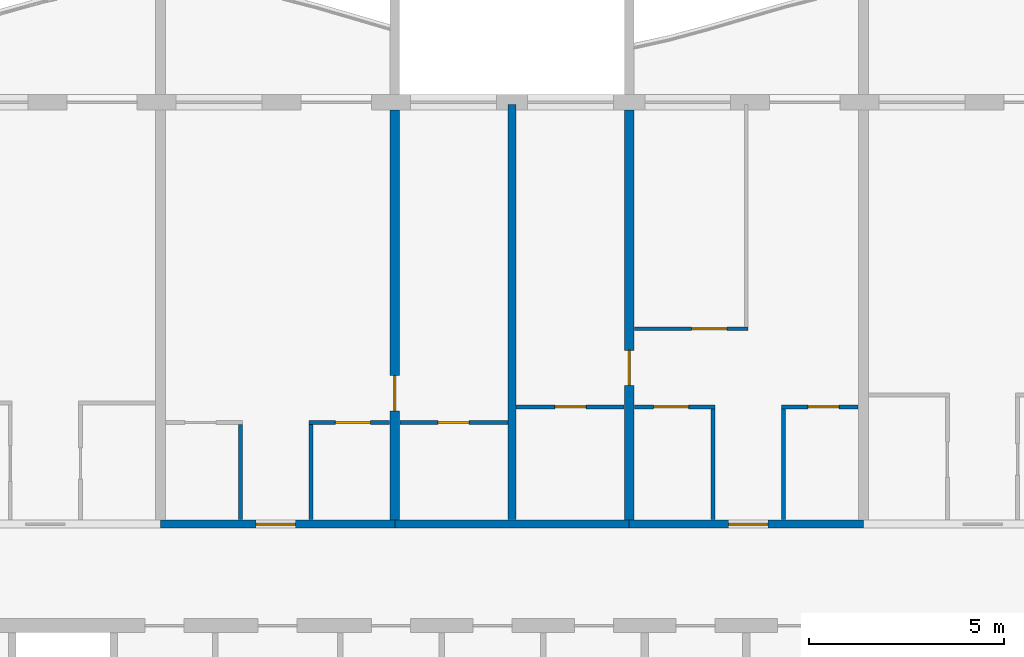
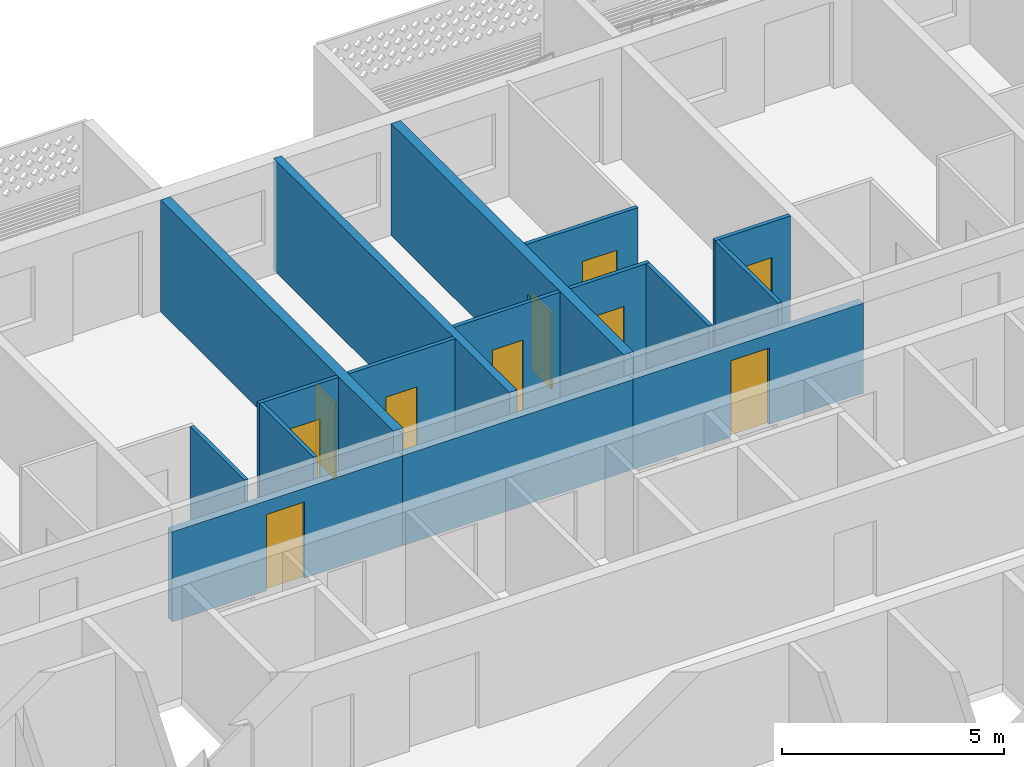
# One storey, part 9 of 29: 16 walls, 10 doors, 10 openings.
"""IFC4 building model written with IfcOpenShell, lengths in metres."""

import ifcopenshell
import ifcopenshell.guid

model = None  # the IFC model being written
_history = None  # IfcOwnerHistory: only IFC2X3 demands one
_inside = {}  # id of a spatial element -> (the spatial element, [elements in it])
_under = {}  # id of a project, library or spatial element -> (it, [spatial elements below it])
_declared = {}  # id of a project -> (the project, [libraries it declares])
_typed = {}  # id of a type object -> (the type object, [elements of that type])
_made_of = {}  # id of a material, layer set ... -> (it, [elements and type objects made of it])


def new_model(schema):
    """Start an empty IFC model of exactly this schema.

    Asked for "IFC4X3", IfcOpenShell would pick the latest addendum, in which some entities
    have other attributes; the version numbers below select the first issue.
    IFC2X3 requires an IfcOwnerHistory on every rooted entity: one is made here for all.
    """
    global model, _history
    if schema == "IFC4X3":
        model = ifcopenshell.file(schema_version=(4, 3, 0, 0))
    else:
        model = ifcopenshell.file(schema=schema)
    _inside.clear()
    _under.clear()
    _declared.clear()
    _typed.clear()
    _made_of.clear()
    _history = None
    if model.schema == "IFC2X3":
        org = make("IfcOrganization", Name="unknown")
        user = make(
            "IfcPersonAndOrganization",
            ThePerson=make("IfcPerson", FamilyName="unknown"),
            TheOrganization=org,
        )
        app = make(
            "IfcApplication",
            ApplicationDeveloper=org,
            Version="unknown",
            ApplicationFullName="unknown",
            ApplicationIdentifier="unknown",
        )
        _history = make(
            "IfcOwnerHistory",
            OwningUser=user,
            OwningApplication=app,
            ChangeAction="ADDED",
            CreationDate=0,
        )
    return model


def make(cls, **values):
    """One entity of the class cls with the attributes given. An attribute that is None is left unset."""
    return model.create_entity(
        cls, **{name: value for name, value in values.items() if value is not None}
    )


def rooted(cls, **values):
    """An entity with a GlobalId (a new one), such as an element, a storey or a relation."""
    return make(cls, GlobalId=ifcopenshell.guid.new(), OwnerHistory=_history, **values)


def si_unit(unit_type, name, prefix=None):
    """IfcSIUnit, for example si_unit("LENGTHUNIT", "METRE", prefix="MILLI")."""
    return make("IfcSIUnit", UnitType=unit_type, Prefix=prefix, Name=name)


def assignment(units):
    """IfcUnitAssignment: the units of a project."""
    return None if units is None else make("IfcUnitAssignment", Units=units)


def point(xyz):
    """IfcCartesianPoint."""
    return None if xyz is None else make("IfcCartesianPoint", Coordinates=xyz)


def direction(xyz):
    """IfcDirection."""
    return None if xyz is None else make("IfcDirection", DirectionRatios=xyz)


def frame(location, z_axis=None, x_axis=None):
    """IfcAxis2Placement3D, a coordinate frame: its origin and axes. An axis left out is left unset."""
    return make(
        "IfcAxis2Placement3D",
        Location=point(location),
        Axis=direction(z_axis),
        RefDirection=direction(x_axis),
    )


def frame_2d(location, x_axis=None):
    """IfcAxis2Placement2D, a coordinate frame in the plane: its origin and x axis."""
    return make(
        "IfcAxis2Placement2D", Location=point(location), RefDirection=direction(x_axis)
    )


def origin():
    """The frame at (0, 0, 0) with its axes left unset."""
    return frame((0.0, 0.0, 0.0))


def place(relative_to, where):
    """IfcLocalPlacement: puts the frame where relative to a parent placement (None: the world)."""
    return make(
        "IfcLocalPlacement", PlacementRelTo=relative_to, RelativePlacement=where
    )


def context(
    kind, dimensions, precision=None, world=None, true_north=None, identifier=None
):
    """IfcGeometricRepresentationContext, for example the 3D "Model" context."""
    return make(
        "IfcGeometricRepresentationContext",
        ContextIdentifier=identifier,
        ContextType=kind,
        CoordinateSpaceDimension=dimensions,
        Precision=precision,
        WorldCoordinateSystem=world,
        TrueNorth=true_north,
    )


def subcontext(parent, identifier, kind, view, scale=None):
    """IfcGeometricRepresentationSubContext, for example "Body" below "Model"."""
    return make(
        "IfcGeometricRepresentationSubContext",
        ContextIdentifier=identifier,
        ContextType=kind,
        ParentContext=parent,
        TargetScale=scale,
        TargetView=view,
    )


def project(units=None, contexts=None):
    """IfcProject with its units and contexts."""
    return rooted(
        "IfcProject",
        Name="project",
        RepresentationContexts=contexts,
        UnitsInContext=assignment(units),
    )


def spatial(cls, under=None, at=None, **own):
    """A site, building, storey or space (cls), placed at a placement, below another one or the project."""
    s = rooted(cls, ObjectPlacement=at, **own)
    if under is not None:
        _under.setdefault(under.id(), (under, []))[1].append(s)
    return s


def profile(cls, at=None, kind="AREA", **sizes):
    """A parametric profile (cls). Its sizes go by their IFC names, for example OverallWidth=200.0."""
    return make(cls, ProfileType=kind, Position=at, **sizes)


def rectangle(**sizes):
    """IfcRectangleProfileDef."""
    return profile("IfcRectangleProfileDef", **sizes)


def extrude(swept, where, along, depth):
    """IfcExtrudedAreaSolid: the profile swept, set in the frame where, extruded along a direction by depth."""
    return make(
        "IfcExtrudedAreaSolid",
        SweptArea=swept,
        Position=where,
        ExtrudedDirection=direction(along),
        Depth=depth,
    )


def shape(context_of_items, identifier, shape_type, items):
    """IfcShapeRepresentation: the items that make up one representation, for example the "Body"."""
    return make(
        "IfcShapeRepresentation",
        ContextOfItems=context_of_items,
        RepresentationIdentifier=identifier,
        RepresentationType=shape_type,
        Items=items,
    )


def material(Name=None, Category=None):
    """IfcMaterial."""
    return make("IfcMaterial", Name=Name, Category=Category)


def layer(
    of_material, thickness, ventilated=None, Name=None, Category=None, Priority=None
):
    """IfcMaterialLayer: one layer of a wall or slab, of a material (None: an air gap)."""
    return make(
        "IfcMaterialLayer",
        Material=of_material,
        LayerThickness=thickness,
        IsVentilated=ventilated,
        Name=Name,
        Category=Category,
        Priority=Priority,
    )


def layer_set(layers, Name=None):
    """IfcMaterialLayerSet."""
    return make("IfcMaterialLayerSet", MaterialLayers=layers, LayerSetName=Name)


def made_of(thing, what):
    """Note that an element or type object is made of a material, layer set ...; save() writes the relation."""
    if what is not None:
        _made_of.setdefault(what.id(), (what, []))[1].append(thing)
    return thing


def type_object(cls, material=None, **own):
    """A type object (cls), such as IfcWallType, which elements share."""
    return made_of(rooted(cls, **own), material)


def element(
    cls,
    number,
    at=None,
    inside=None,
    cuts=None,
    type_object=None,
    material=None,
    context=None,
    identifier="Body",
    shape_type=None,
    held_by="IfcProductDefinitionShape",
    body=None,
    shapes=None,
    **own,
):
    """One element of the class cls, such as IfcWall. Its Tag is "e" and its number.

    at: its placement. inside: the storey or other place that contains it. cuts: it is an
    opening in that element (IfcRelVoidsElement). A single representation is given by context,
    identifier, shape_type and body (its items); several are given by shapes. held_by: the class
    of the entity that holds the representations. save() writes the other relations.
    """
    e = rooted(cls, Tag="e%d" % number, ObjectPlacement=at, **own)
    if body is not None:
        shapes = [shape(context, identifier, shape_type, body)]
    if shapes is not None:
        e.Representation = make(held_by, Representations=shapes)
    if inside is not None:
        _inside.setdefault(inside.id(), (inside, []))[1].append(e)
    if cuts is not None:
        rooted(
            "IfcRelVoidsElement", RelatingBuildingElement=cuts, RelatedOpeningElement=e
        )
    if type_object is not None:
        _typed.setdefault(type_object.id(), (type_object, []))[1].append(e)
    return made_of(e, material)


def fill(opening, filler):
    """IfcRelFillsElement: the door or window that sits in an opening."""
    return rooted(
        "IfcRelFillsElement",
        RelatingOpeningElement=opening,
        RelatedBuildingElement=filler,
    )


def aggregate(whole, parts):
    """IfcRelAggregates: a whole, such as a stair, and the parts it consists of."""
    return rooted("IfcRelAggregates", RelatingObject=whole, RelatedObjects=parts)


def save(model, path):
    """Write the relations noted so far, then the file.

    IfcRelAggregates (storeys below a building ...), IfcRelContainedInSpatialStructure (elements
    in a storey), IfcRelDefinesByType, IfcRelAssociatesMaterial and IfcRelDeclares: one each for
    every whole, place, type object, material and project.
    """
    for whole, parts in _under.values():
        aggregate(whole, parts)
    for where, things in _inside.values():
        rooted(
            "IfcRelContainedInSpatialStructure",
            RelatedElements=things,
            RelatingStructure=where,
        )
    for kind, things in _typed.values():
        rooted("IfcRelDefinesByType", RelatedObjects=things, RelatingType=kind)
    for what, things in _made_of.values():
        rooted("IfcRelAssociatesMaterial", RelatedObjects=things, RelatingMaterial=what)
    for by, libraries in _declared.values():
        rooted("IfcRelDeclares", RelatingContext=by, RelatedDefinitions=libraries)
    model.write(path)


model = new_model("IFC4")

# Units and contexts
model_context = context("Model", 3, precision=1e-05, world=origin(), true_north=direction((0.0, 1.0)))
body_context = subcontext(model_context, "Body", "Model", "MODEL_VIEW")
ifc_project = project(units=[si_unit("LENGTHUNIT", "METRE"), si_unit("AREAUNIT", "SQUARE_METRE"), si_unit("VOLUMEUNIT", "CUBIC_METRE"), si_unit("PLANEANGLEUNIT", "RADIAN"), si_unit("MASSUNIT", "GRAM", prefix="KILO")], contexts=[model_context])

# Site, building, storey
site_placement = place(None, origin())
site = spatial("IfcSite", under=ifc_project, at=site_placement, CompositionType="ELEMENT")
building_placement = place(site_placement, origin())
building = spatial("IfcBuilding", under=site, at=building_placement, Name="Poui Terraces", CompositionType="ELEMENT")
storey_placement = place(building_placement, frame((0.0, 0.0, 234.60009765625)))
storey = spatial("IfcBuildingStorey", under=building, at=storey_placement, Name="L65", CompositionType="ELEMENT", Elevation=234.60009765625)

# Wall, opening, door
ifc_material_1 = material(Name="Concrete 50 MPa", Category="concrete")
ifc_layer_1 = layer(ifc_material_1, 0.199951171875)
ifc_layer_set_1 = layer_set([ifc_layer_1], Name="Concrete 50 MPa")
wall_type_1 = type_object("IfcWallType", Name="CORRIDOR WALL 200 50MPa", PredefinedType="SHEAR", material=ifc_layer_set_1)
wall_1_placement = place(storey_placement, frame((48.0, 30.39990234375, 0.0), z_axis=(0.0, 0.0, 1.0), x_axis=(1.0, 0.0, 0.0)))
wall_1 = element("IfcWall", 1, at=wall_1_placement, inside=storey, type_object=wall_type_1, Name="CORRIDOR WALL LINE E BAY 6", PredefinedType="SHEAR", context=body_context, shape_type="SweptSolid", body=[
    extrude(rectangle(XDim=6.0, YDim=0.199951171875, at=frame_2d((3.0, 0.0))), origin(), (0.0, 0.0, 1.0), 2.47998046875),
])
opening_1_placement = place(wall_1_placement, frame((2.449951171875, 0.0, 0.0)))
opening_1 = element("IfcOpeningElement", 2, at=opening_1_placement, cuts=wall_1, Name="Opening FD30S", PredefinedType="OPENING", context=body_context, shape_type="SweptSolid", body=[
    extrude(rectangle(XDim=1.0, YDim=2.10009765625, at=frame_2d((0.5, 1.050048828125))), frame((0.0, 0.10986328125, 0.0), z_axis=(0.0, -1.0, 0.0), x_axis=(1.0, 0.0, 0.0)), (0.0, 0.0, 1.0), 0.219970703125),
])
ifc_material_2 = material(Name="Steel fire door", Category="steel")
door_type_1 = type_object("IfcDoorType", Name="FLAT ENTRANCE DOOR 1000 X 2100", OperationType="NOTDEFINED", PredefinedType="DOOR", material=ifc_material_2)
door_1_placement = place(opening_1_placement, origin())
door_1 = element("IfcDoor", 3, at=door_1_placement, inside=storey, type_object=door_type_1, Name="FLAT ENTRANCE DOOR 046", OperationType="SINGLE_SWING_LEFT", OverallHeight=2.10009765625, OverallWidth=1.0, PredefinedType="DOOR", context=body_context, shape_type="SweptSolid", body=[
    extrude(rectangle(XDim=1.0, YDim=2.10009765625, at=frame_2d((0.5, 1.050048828125))), frame((0.0, 0.02490234375, 0.0), z_axis=(0.0, -1.0, 0.0), x_axis=(1.0, 0.0, 0.0)), (0.0, 0.0, 1.0), 0.050048828125),
])
fill(opening_1, door_1)

# Wall
wall_2_placement = place(storey_placement, frame((54.0, 30.39990234375, 0.0), z_axis=(0.0, 0.0, 1.0), x_axis=(1.0, 0.0, 0.0)))
element("IfcWall", 4, at=wall_2_placement, inside=storey, type_object=wall_type_1, Name="CORRIDOR WALL LINE E BAY 7", PredefinedType="SHEAR", context=body_context, shape_type="SweptSolid", body=[
    extrude(rectangle(XDim=6.0, YDim=0.199951171875, at=frame_2d((3.0, 0.0))), origin(), (0.0, 0.0, 1.0), 2.47998046875),
])

# Wall, opening, door
wall_3_placement = place(storey_placement, frame((60.0, 30.39990234375, 0.0), z_axis=(0.0, 0.0, 1.0), x_axis=(1.0, 0.0, 0.0)))
wall_3 = element("IfcWall", 5, at=wall_3_placement, inside=storey, type_object=wall_type_1, Name="CORRIDOR WALL LINE E BAY 8", PredefinedType="SHEAR", context=body_context, shape_type="SweptSolid", body=[
    extrude(rectangle(XDim=6.0, YDim=0.199951171875, at=frame_2d((3.0, 0.0))), origin(), (0.0, 0.0, 1.0), 2.47998046875),
])
opening_2_placement = place(wall_3_placement, frame((2.550048828125, 0.0, 0.0)))
opening_2 = element("IfcOpeningElement", 6, at=opening_2_placement, cuts=wall_3, Name="Opening FD30S", PredefinedType="OPENING", context=body_context, shape_type="SweptSolid", body=[
    extrude(rectangle(XDim=1.0, YDim=2.10009765625, at=frame_2d((0.5, 1.050048828125))), frame((0.0, 0.10986328125, 0.0), z_axis=(0.0, -1.0, 0.0), x_axis=(1.0, 0.0, 0.0)), (0.0, 0.0, 1.0), 0.219970703125),
])
door_2_placement = place(opening_2_placement, origin())
door_2 = element("IfcDoor", 7, at=door_2_placement, inside=storey, type_object=door_type_1, Name="FLAT ENTRANCE DOOR 053", OperationType="SINGLE_SWING_RIGHT", OverallHeight=2.10009765625, OverallWidth=1.0, PredefinedType="DOOR", context=body_context, shape_type="SweptSolid", body=[
    extrude(rectangle(XDim=1.0, YDim=2.10009765625, at=frame_2d((0.5, 1.050048828125))), frame((0.0, 0.02490234375, 0.0), z_axis=(0.0, -1.0, 0.0), x_axis=(1.0, 0.0, 0.0)), (0.0, 0.0, 1.0), 0.050048828125),
])
fill(opening_2, door_2)

ifc_layer_2 = layer(ifc_material_1, 0.25)
ifc_layer_set_2 = layer_set([ifc_layer_2], Name="Concrete 50 MPa")
wall_type_2 = type_object("IfcWallType", Name="CROSS WALL 250 50MPa", PredefinedType="SHEAR", material=ifc_layer_set_2)
wall_4_placement = place(storey_placement, frame((54.0, 30.5, 0.0), z_axis=(0.0, 0.0, 1.0), x_axis=(0.0, 1.0, 0.0)))
wall_4 = element("IfcWall", 8, at=wall_4_placement, inside=storey, type_object=wall_type_2, Name="CROSS WALL LINE 10 NORTH", PredefinedType="SHEAR", context=body_context, shape_type="SweptSolid", body=[
    extrude(rectangle(XDim=10.5, YDim=0.25, at=frame_2d((5.25, 0.0))), origin(), (0.0, 0.0, 1.0), 3.079833984375),
])
opening_3_placement = place(wall_4_placement, frame((2.800048828125, 0.0, 0.0)))
opening_3 = element("IfcOpeningElement", 9, at=opening_3_placement, cuts=wall_4, Name="Opening D90", PredefinedType="OPENING", context=body_context, shape_type="SweptSolid", body=[
    extrude(rectangle(XDim=0.89990234375, YDim=2.10009765625, at=frame_2d((0.449951171875, 1.050048828125))), frame((0.0, 0.135009765625, 0.0), z_axis=(0.0, -1.0, 0.0), x_axis=(1.0, 0.0, 0.0)), (0.0, 0.0, 1.0), 0.27001953125),
])
ifc_material_3 = material(Name="Solid core timber door", Category="wood")
door_type_2 = type_object("IfcDoorType", Name="INTERNAL DOOR 900 X 2100", OperationType="NOTDEFINED", PredefinedType="DOOR", material=ifc_material_3)
door_3_placement = place(opening_3_placement, frame((0.89990234375, 0.0, 0.0), z_axis=(0.0, 0.0, 1.0), x_axis=(-1.0, 0.0, 0.0)))
door_3 = element("IfcDoor", 10, at=door_3_placement, inside=storey, type_object=door_type_2, Name="INTERNAL DOOR 048", OperationType="SINGLE_SWING_RIGHT", OverallHeight=2.10009765625, OverallWidth=0.89990234375, PredefinedType="DOOR", context=body_context, shape_type="SweptSolid", body=[
    extrude(rectangle(XDim=0.89990234375, YDim=2.10009765625, at=frame_2d((0.449951171875, 1.050048828125))), frame((0.0, 0.02490234375, 0.0), z_axis=(0.0, -1.0, 0.0), x_axis=(1.0, 0.0, 0.0)), (0.0, 0.0, 1.0), 0.050048828125),
])
fill(opening_3, door_3)

wall_5_placement = place(storey_placement, frame((60.0, 30.5, 0.0), z_axis=(0.0, 0.0, 1.0), x_axis=(0.0, 1.0, 0.0)))
wall_5 = element("IfcWall", 11, at=wall_5_placement, inside=storey, type_object=wall_type_2, Name="CROSS WALL LINE 11 NORTH", PredefinedType="SHEAR", context=body_context, shape_type="SweptSolid", body=[
    extrude(rectangle(XDim=10.5, YDim=0.25, at=frame_2d((5.25, 0.0))), origin(), (0.0, 0.0, 1.0), 3.079833984375),
])
opening_4_placement = place(wall_5_placement, frame((3.449951171875, 0.0, 0.0)))
opening_4 = element("IfcOpeningElement", 12, at=opening_4_placement, cuts=wall_5, Name="Opening D90", PredefinedType="OPENING", context=body_context, shape_type="SweptSolid", body=[
    extrude(rectangle(XDim=0.89990234375, YDim=2.10009765625, at=frame_2d((0.449951171875, 1.050048828125))), frame((0.0, 0.135009765625, 0.0), z_axis=(0.0, -1.0, 0.0), x_axis=(1.0, 0.0, 0.0)), (0.0, 0.0, 1.0), 0.27001953125),
])
door_4_placement = place(opening_4_placement, origin())
door_4 = element("IfcDoor", 13, at=door_4_placement, inside=storey, type_object=door_type_2, Name="INTERNAL DOOR 050", OperationType="SINGLE_SWING_LEFT", OverallHeight=2.10009765625, OverallWidth=0.89990234375, PredefinedType="DOOR", context=body_context, shape_type="SweptSolid", body=[
    extrude(rectangle(XDim=0.89990234375, YDim=2.10009765625, at=frame_2d((0.449951171875, 1.050048828125))), frame((0.0, 0.02490234375, 0.0), z_axis=(0.0, -1.0, 0.0), x_axis=(1.0, 0.0, 0.0)), (0.0, 0.0, 1.0), 0.050048828125),
])
fill(opening_4, door_4)

ifc_material_4 = material(Name="Plasterboard partition")
ifc_layer_3 = layer(ifc_material_4, 0.10009765625)
ifc_layer_set_3 = layer_set([ifc_layer_3], Name="Plasterboard partition")
wall_type_3 = type_object("IfcWallType", Name="FLAT PARTITION 100", PredefinedType="PARTITIONING", material=ifc_layer_set_3)
wall_6_placement = place(storey_placement, frame((51.800048828125, 33.0, 0.0), z_axis=(0.0, 0.0, 1.0), x_axis=(1.0, 0.0, 0.0)))
wall_6 = element("IfcWall", 14, at=wall_6_placement, inside=storey, type_object=wall_type_3, Name="FLAT PARTITION 100", PredefinedType="PARTITIONING", context=body_context, shape_type="SweptSolid", body=[
    extrude(rectangle(XDim=2.06494140625, YDim=0.10009765625, at=frame_2d((1.032470703125, 0.0))), origin(), (0.0, 0.0, 1.0), 3.079833984375),
])
opening_5_placement = place(wall_6_placement, frame((0.675048828125, 0.0, 0.0)))
opening_5 = element("IfcOpeningElement", 15, at=opening_5_placement, cuts=wall_6, Name="Opening D90", PredefinedType="OPENING", context=body_context, shape_type="SweptSolid", body=[
    extrude(rectangle(XDim=0.89990234375, YDim=2.10009765625, at=frame_2d((0.449951171875, 1.050048828125))), frame((0.0, 0.06005859375, 0.0), z_axis=(0.0, -1.0, 0.0), x_axis=(1.0, 0.0, 0.0)), (0.0, 0.0, 1.0), 0.1201171875),
])
door_5_placement = place(opening_5_placement, frame((0.89990234375, 0.0, 0.0), z_axis=(0.0, 0.0, 1.0), x_axis=(-1.0, 0.0, 0.0)))
door_5 = element("IfcDoor", 16, at=door_5_placement, inside=storey, type_object=door_type_2, Name="INTERNAL DOOR 047", OperationType="SINGLE_SWING_RIGHT", OverallHeight=2.10009765625, OverallWidth=0.89990234375, PredefinedType="DOOR", context=body_context, shape_type="SweptSolid", body=[
    extrude(rectangle(XDim=0.89990234375, YDim=2.10009765625, at=frame_2d((0.449951171875, 1.050048828125))), frame((0.0, 0.02490234375, 0.0), z_axis=(0.0, -1.0, 0.0), x_axis=(1.0, 0.0, 0.0)), (0.0, 0.0, 1.0), 0.050048828125),
])
fill(opening_5, door_5)

wall_7_placement = place(storey_placement, frame((54.135009765625, 33.0, 0.0), z_axis=(0.0, 0.0, 1.0), x_axis=(1.0, 0.0, 0.0)))
wall_7 = element("IfcWall", 17, at=wall_7_placement, inside=storey, type_object=wall_type_3, Name="FLAT PARTITION 100", PredefinedType="PARTITIONING", context=body_context, shape_type="SweptSolid", body=[
    extrude(rectangle(XDim=2.764892578125, YDim=0.10009765625, at=frame_2d((1.38232421875, 0.0))), origin(), (0.0, 0.0, 1.0), 3.079833984375),
])
opening_6_placement = place(wall_7_placement, frame((0.965087890625, 0.0, 0.0)))
opening_6 = element("IfcOpeningElement", 18, at=opening_6_placement, cuts=wall_7, Name="Opening D80", PredefinedType="OPENING", context=body_context, shape_type="SweptSolid", body=[
    extrude(rectangle(XDim=0.800048828125, YDim=2.10009765625, at=frame_2d((0.39990234375, 1.050048828125))), frame((0.0, 0.06005859375, 0.0), z_axis=(0.0, -1.0, 0.0), x_axis=(1.0, 0.0, 0.0)), (0.0, 0.0, 1.0), 0.1201171875),
])
door_type_3 = type_object("IfcDoorType", Name="BATHROOM, LAUNDRY AND STORE DOOR 800 X 2100", OperationType="NOTDEFINED", PredefinedType="DOOR", material=ifc_material_3)
door_6_placement = place(opening_6_placement, frame((0.800048828125, 0.0, 0.0), z_axis=(0.0, 0.0, 1.0), x_axis=(-1.0, 0.0, 0.0)))
door_6 = element("IfcDoor", 19, at=door_6_placement, inside=storey, type_object=door_type_3, Name="BATHROOM, LAUNDRY AND STORE DOOR 044", OperationType="SINGLE_SWING_RIGHT", OverallHeight=2.10009765625, OverallWidth=0.800048828125, PredefinedType="DOOR", context=body_context, shape_type="SweptSolid", body=[
    extrude(rectangle(XDim=0.800048828125, YDim=2.10009765625, at=frame_2d((0.39990234375, 1.050048828125))), frame((0.0, 0.02490234375, 0.0), z_axis=(0.0, -1.0, 0.0), x_axis=(1.0, 0.0, 0.0)), (0.0, 0.0, 1.0), 0.050048828125),
])
fill(opening_6, door_6)

wall_8_placement = place(storey_placement, frame((57.10009765625, 33.39990234375, 0.0), z_axis=(0.0, 0.0, 1.0), x_axis=(1.0, 0.0, 0.0)))
wall_8 = element("IfcWall", 20, at=wall_8_placement, inside=storey, type_object=wall_type_3, Name="FLAT PARTITION 100", PredefinedType="PARTITIONING", context=body_context, shape_type="SweptSolid", body=[
    extrude(rectangle(XDim=2.764892578125, YDim=0.10009765625, at=frame_2d((1.38232421875, 0.0))), origin(), (0.0, 0.0, 1.0), 3.079833984375),
])
opening_7_placement = place(wall_8_placement, frame((1.0, 0.0, 0.0)))
opening_7 = element("IfcOpeningElement", 21, at=opening_7_placement, cuts=wall_8, Name="Opening D80", PredefinedType="OPENING", context=body_context, shape_type="SweptSolid", body=[
    extrude(rectangle(XDim=0.800048828125, YDim=2.10009765625, at=frame_2d((0.39990234375, 1.050048828125))), frame((0.0, 0.06005859375, 0.0), z_axis=(0.0, -1.0, 0.0), x_axis=(1.0, 0.0, 0.0)), (0.0, 0.0, 1.0), 0.1201171875),
])
door_7_placement = place(opening_7_placement, frame((0.800048828125, 0.0, 0.0), z_axis=(0.0, 0.0, 1.0), x_axis=(-1.0, 0.0, 0.0)))
door_7 = element("IfcDoor", 22, at=door_7_placement, inside=storey, type_object=door_type_3, Name="BATHROOM, LAUNDRY AND STORE DOOR 049", OperationType="SINGLE_SWING_LEFT", OverallHeight=2.10009765625, OverallWidth=0.800048828125, PredefinedType="DOOR", context=body_context, shape_type="SweptSolid", body=[
    extrude(rectangle(XDim=0.800048828125, YDim=2.10009765625, at=frame_2d((0.39990234375, 1.050048828125))), frame((0.0, 0.02490234375, 0.0), z_axis=(0.0, -1.0, 0.0), x_axis=(1.0, 0.0, 0.0)), (0.0, 0.0, 1.0), 0.050048828125),
])
fill(opening_7, door_7)

wall_9_placement = place(storey_placement, frame((60.135009765625, 33.39990234375, 0.0), z_axis=(0.0, 0.0, 1.0), x_axis=(1.0, 0.0, 0.0)))
wall_9 = element("IfcWall", 23, at=wall_9_placement, inside=storey, type_object=wall_type_3, Name="FLAT PARTITION 100", PredefinedType="PARTITIONING", context=body_context, shape_type="SweptSolid", body=[
    extrude(rectangle(XDim=2.06494140625, YDim=0.10009765625, at=frame_2d((1.032470703125, 0.0))), origin(), (0.0, 0.0, 1.0), 3.079833984375),
])
opening_8_placement = place(wall_9_placement, frame((0.489990234375, 0.0, 0.0)))
opening_8 = element("IfcOpeningElement", 24, at=opening_8_placement, cuts=wall_9, Name="Opening D90", PredefinedType="OPENING", context=body_context, shape_type="SweptSolid", body=[
    extrude(rectangle(XDim=0.89990234375, YDim=2.10009765625, at=frame_2d((0.449951171875, 1.050048828125))), frame((0.0, 0.06005859375, 0.0), z_axis=(0.0, -1.0, 0.0), x_axis=(1.0, 0.0, 0.0)), (0.0, 0.0, 1.0), 0.1201171875),
])
door_8_placement = place(opening_8_placement, frame((0.89990234375, 0.0, 0.0), z_axis=(0.0, 0.0, 1.0), x_axis=(-1.0, 0.0, 0.0)))
door_8 = element("IfcDoor", 25, at=door_8_placement, inside=storey, type_object=door_type_2, Name="INTERNAL DOOR 051", OperationType="SINGLE_SWING_LEFT", OverallHeight=2.10009765625, OverallWidth=0.89990234375, PredefinedType="DOOR", context=body_context, shape_type="SweptSolid", body=[
    extrude(rectangle(XDim=0.89990234375, YDim=2.10009765625, at=frame_2d((0.449951171875, 1.050048828125))), frame((0.0, 0.02490234375, 0.0), z_axis=(0.0, -1.0, 0.0), x_axis=(1.0, 0.0, 0.0)), (0.0, 0.0, 1.0), 0.050048828125),
])
fill(opening_8, door_8)

wall_10_placement = place(storey_placement, frame((63.89990234375, 33.39990234375, 0.0), z_axis=(0.0, 0.0, 1.0), x_axis=(1.0, 0.0, 0.0)))
wall_10 = element("IfcWall", 26, at=wall_10_placement, inside=storey, type_object=wall_type_3, Name="FLAT PARTITION 100", PredefinedType="PARTITIONING", context=body_context, shape_type="SweptSolid", body=[
    extrude(rectangle(XDim=1.965087890625, YDim=0.10009765625, at=frame_2d((0.982421875, 0.0))), origin(), (0.0, 0.0, 1.0), 3.079833984375),
])
opening_9_placement = place(wall_10_placement, frame((0.675048828125, 0.0, 0.0)))
opening_9 = element("IfcOpeningElement", 27, at=opening_9_placement, cuts=wall_10, Name="Opening D80", PredefinedType="OPENING", context=body_context, shape_type="SweptSolid", body=[
    extrude(rectangle(XDim=0.800048828125, YDim=2.10009765625, at=frame_2d((0.39990234375, 1.050048828125))), frame((0.0, 0.06005859375, 0.0), z_axis=(0.0, -1.0, 0.0), x_axis=(1.0, 0.0, 0.0)), (0.0, 0.0, 1.0), 0.1201171875),
])
door_9_placement = place(opening_9_placement, frame((0.800048828125, 0.0, 0.0), z_axis=(0.0, 0.0, 1.0), x_axis=(-1.0, 0.0, 0.0)))
door_9 = element("IfcDoor", 28, at=door_9_placement, inside=storey, type_object=door_type_3, Name="BATHROOM, LAUNDRY AND STORE DOOR 054", OperationType="SINGLE_SWING_RIGHT", OverallHeight=2.10009765625, OverallWidth=0.800048828125, PredefinedType="DOOR", context=body_context, shape_type="SweptSolid", body=[
    extrude(rectangle(XDim=0.800048828125, YDim=2.10009765625, at=frame_2d((0.39990234375, 1.050048828125))), frame((0.0, 0.02490234375, 0.0), z_axis=(0.0, -1.0, 0.0), x_axis=(1.0, 0.0, 0.0)), (0.0, 0.0, 1.0), 0.050048828125),
])
fill(opening_9, door_9)

wall_11_placement = place(storey_placement, frame((60.135009765625, 35.39990234375, 0.0), z_axis=(0.0, 0.0, 1.0), x_axis=(1.0, 0.0, 0.0)))
wall_11 = element("IfcWall", 29, at=wall_11_placement, inside=storey, type_object=wall_type_3, Name="FLAT PARTITION 100", PredefinedType="PARTITIONING", context=body_context, shape_type="SweptSolid", body=[
    extrude(rectangle(XDim=2.9150390625, YDim=0.10009765625, at=frame_2d((1.45751953125, 0.0))), origin(), (0.0, 0.0, 1.0), 3.079833984375),
])
opening_10_placement = place(wall_11_placement, frame((1.465087890625, 0.0, 0.0)))
opening_10 = element("IfcOpeningElement", 30, at=opening_10_placement, cuts=wall_11, Name="Opening D90", PredefinedType="OPENING", context=body_context, shape_type="SweptSolid", body=[
    extrude(rectangle(XDim=0.89990234375, YDim=2.10009765625, at=frame_2d((0.449951171875, 1.050048828125))), frame((0.0, 0.06005859375, 0.0), z_axis=(0.0, -1.0, 0.0), x_axis=(1.0, 0.0, 0.0)), (0.0, 0.0, 1.0), 0.1201171875),
])
door_10_placement = place(opening_10_placement, frame((0.89990234375, 0.0, 0.0), z_axis=(0.0, 0.0, 1.0), x_axis=(-1.0, 0.0, 0.0)))
door_10 = element("IfcDoor", 31, at=door_10_placement, inside=storey, type_object=door_type_2, Name="INTERNAL DOOR 052", OperationType="SINGLE_SWING_RIGHT", OverallHeight=2.10009765625, OverallWidth=0.89990234375, PredefinedType="DOOR", context=body_context, shape_type="SweptSolid", body=[
    extrude(rectangle(XDim=0.89990234375, YDim=2.10009765625, at=frame_2d((0.449951171875, 1.050048828125))), frame((0.0, 0.02490234375, 0.0), z_axis=(0.0, -1.0, 0.0), x_axis=(1.0, 0.0, 0.0)), (0.0, 0.0, 1.0), 0.050048828125),
])
fill(opening_10, door_10)

# Walls
for number, where, z_axis, x_axis, name in (
    (32, (50.050048828125, 30.510009765625, 0.0), (0.0, 0.0, 1.0), (0.0, 1.0, 0.0), "FLAT PARTITION 100"),
    (33, (51.85009765625, 30.510009765625, 0.0), (0.0, 0.0, 1.0), (0.0, 1.0, 0.0), "FLAT PARTITION 100"),
):
    element("IfcWall", number, at=place(storey_placement, frame(where, z_axis=z_axis, x_axis=x_axis)), inside=storey, type_object=wall_type_3, Name=name, PredefinedType="PARTITIONING", context=body_context, shape_type="SweptSolid", body=[
        extrude(rectangle(XDim=2.43994140625, YDim=0.10009765625, at=frame_2d((1.219970703125, 0.0))), origin(), (0.0, 0.0, 1.0), 3.079833984375),
    ])
for number, where, z_axis, x_axis, name in (
    (34, (62.14990234375, 30.510009765625, 0.0), (0.0, 0.0, 1.0), (0.0, 1.0, 0.0), "FLAT PARTITION 100"),
    (35, (63.949951171875, 30.510009765625, 0.0), (0.0, 0.0, 1.0), (0.0, 1.0, 0.0), "FLAT PARTITION 100"),
):
    element("IfcWall", number, at=place(storey_placement, frame(where, z_axis=z_axis, x_axis=x_axis)), inside=storey, type_object=wall_type_3, Name=name, PredefinedType="PARTITIONING", context=body_context, shape_type="SweptSolid", body=[
        extrude(rectangle(XDim=2.840087890625, YDim=0.10009765625, at=frame_2d((1.419921875, 0.0))), origin(), (0.0, 0.0, 1.0), 3.079833984375),
    ])
ifc_material_5 = material(Name="Fire-rated masonry wall", Category="masonry")
ifc_layer_4 = layer(ifc_material_5, 0.199951171875)
ifc_layer_set_4 = layer_set([ifc_layer_4], Name="Fire-rated masonry wall")
wall_type_4 = type_object("IfcWallType", Name="FLAT PARTY WALL 200", PredefinedType="PARTITIONING", material=ifc_layer_set_4)
wall_12_placement = place(storey_placement, frame((57.0, 30.510009765625, 0.0), z_axis=(0.0, 0.0, 1.0), x_axis=(0.0, 1.0, 0.0)))
element("IfcWall", 36, at=wall_12_placement, inside=storey, type_object=wall_type_4, Name="FLAT PARTY WALL 200", PredefinedType="PARTITIONING", context=body_context, shape_type="SweptSolid", body=[
    extrude(rectangle(XDim=10.6298828125, YDim=0.199951171875, at=frame_2d((5.31494140625, 0.0))), origin(), (0.0, 0.0, 1.0), 3.079833984375),
])

save(model, "model.ifc")
